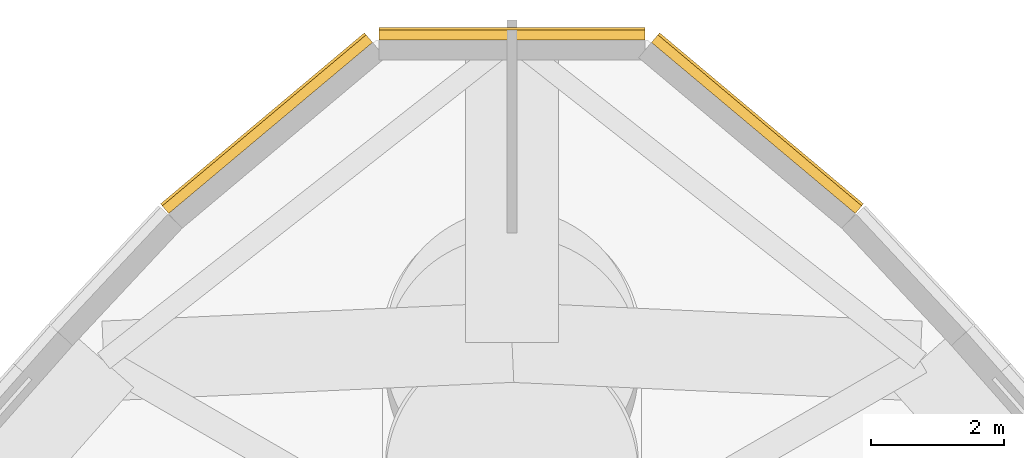
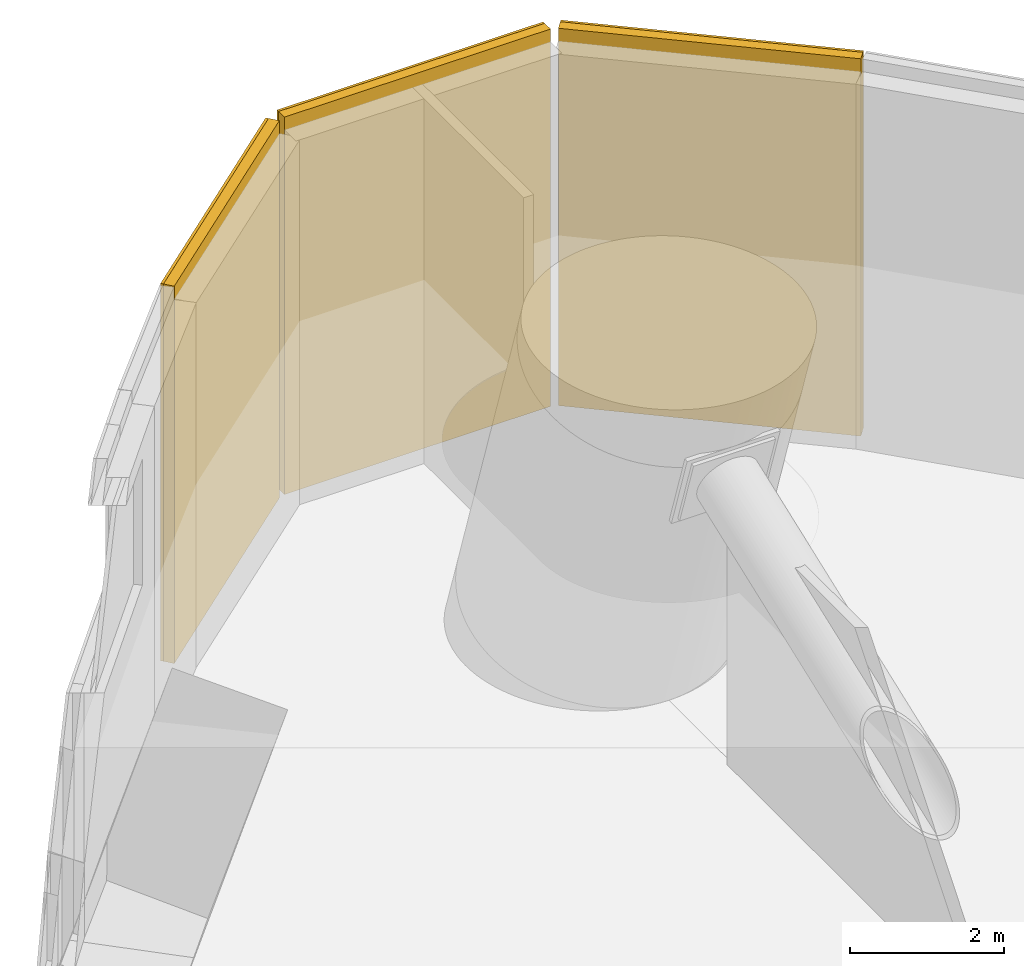
# One storey, part 23 of 25: 6 coverings.
"""IFC4 building model written with IfcOpenShell, lengths in metres."""

from ifc_helpers import new_model, si_unit, direction, frame, origin, origin_2d, place, context, subcontext, project, spatial, rectangle, extrude, material, layer, layer_set, type_object, element, save


model = new_model("IFC4")

# Units and contexts
model_context = context("Model", 3, precision=1e-05, world=origin(), true_north=direction((0.0, 1.0)))
body_context = subcontext(model_context, "Body", "Model", "MODEL_VIEW")
ifc_project = project(units=[si_unit("LENGTHUNIT", "METRE"), si_unit("AREAUNIT", "SQUARE_METRE"), si_unit("VOLUMEUNIT", "CUBIC_METRE"), si_unit("PLANEANGLEUNIT", "RADIAN"), si_unit("MASSUNIT", "GRAM", prefix="KILO")], contexts=[model_context])

# Site, building, storey
site_placement = place(None, origin())
site = spatial("IfcSite", under=ifc_project, at=site_placement, CompositionType="ELEMENT")
building_placement = place(site_placement, origin())
building = spatial("IfcBuilding", under=site, at=building_placement, Name="Trefoil Bronze Tower", CompositionType="ELEMENT")
storey_placement = place(building_placement, frame((0.0, 0.0, 178.699951171875)))
storey = spatial("IfcBuildingStorey", under=building, at=storey_placement, Name="L41", CompositionType="ELEMENT", Elevation=178.699951171875)

# Coverings
ifc_material_1 = material(Name="Bronze-finish aluminium rainscreen panel on aluminium rails", Category="aluminium")
ifc_layer_1 = layer(ifc_material_1, 0.0400390625)
ifc_layer_set_1 = layer_set([ifc_layer_1], Name="Bronze cladding panel 40")
covering_type_1 = type_object("IfcCoveringType", Name="Bronze cladding panel 40", PredefinedType="CLADDING", material=ifc_layer_set_1)
for number, where, z_axis, x_axis, name in (
    (1, (3.7392578125, 38.35546875, 0.0), (0.0, 0.0, 1.0), (-0.76604444322, 0.642787609566, 0.0), "Cladding panel L41 Corner 2.1 piece 1"),
    (2, (0.0, 39.716552734375, 0.0), (0.0, 0.0, 1.0), (-1.0, 0.0, 0.0), "Cladding panel L41 Corner 2.2 piece 1"),
    (3, (-3.7392578125, 38.35546875, 0.0), (0.0, 0.0, 1.0), (-0.76604444322, -0.642787609566, 0.0), "Cladding panel L41 Corner 2.3 piece 1"),
):
    element("IfcCovering", number, at=place(storey_placement, frame(where, z_axis=z_axis, x_axis=x_axis)), inside=storey, type_object=covering_type_1, Name=name, PredefinedType="CLADDING", context=body_context, shape_type="SweptSolid", body=[
        extrude(rectangle(XDim=4.001708984375, YDim=0.0400390625, at=origin_2d()), origin(), (0.0, 0.0, 1.0), 6.0),
    ])
ifc_material_2 = material(Name="Non-combustible mineral wool slab", Category="insulation")
ifc_layer_2 = layer(ifc_material_2, 0.14990234375)
ifc_layer_set_2 = layer_set([ifc_layer_2], Name="Rainscreen insulation 150")
covering_type_2 = type_object("IfcCoveringType", Name="Rainscreen insulation 150", PredefinedType="INSULATION", material=ifc_layer_set_2)
for number, where, z_axis, x_axis, name in (
    (4, (3.67822265625, 38.28271484375, 0.0), (0.0, 0.0, 1.0), (-0.76604444322, 0.642787609566, 0.0), "Insulation L41 Corner 2.1 piece 1"),
    (5, (0.0, 39.62158203125, 0.0), (0.0, 0.0, 1.0), (-1.0, 0.0, 0.0), "Insulation L41 Corner 2.2 piece 1"),
    (6, (-3.67822265625, 38.28271484375, 0.0), (0.0, 0.0, 1.0), (-0.76604444322, -0.642787609566, 0.0), "Insulation L41 Corner 2.3 piece 1"),
):
    element("IfcCovering", number, at=place(storey_placement, frame(where, z_axis=z_axis, x_axis=x_axis)), inside=storey, type_object=covering_type_2, Name=name, PredefinedType="INSULATION", context=body_context, shape_type="SweptSolid", body=[
        extrude(rectangle(XDim=4.001708984375, YDim=0.14990234375, at=origin_2d()), origin(), (0.0, 0.0, 1.0), 6.0),
    ])

save(model, "model.ifc")
